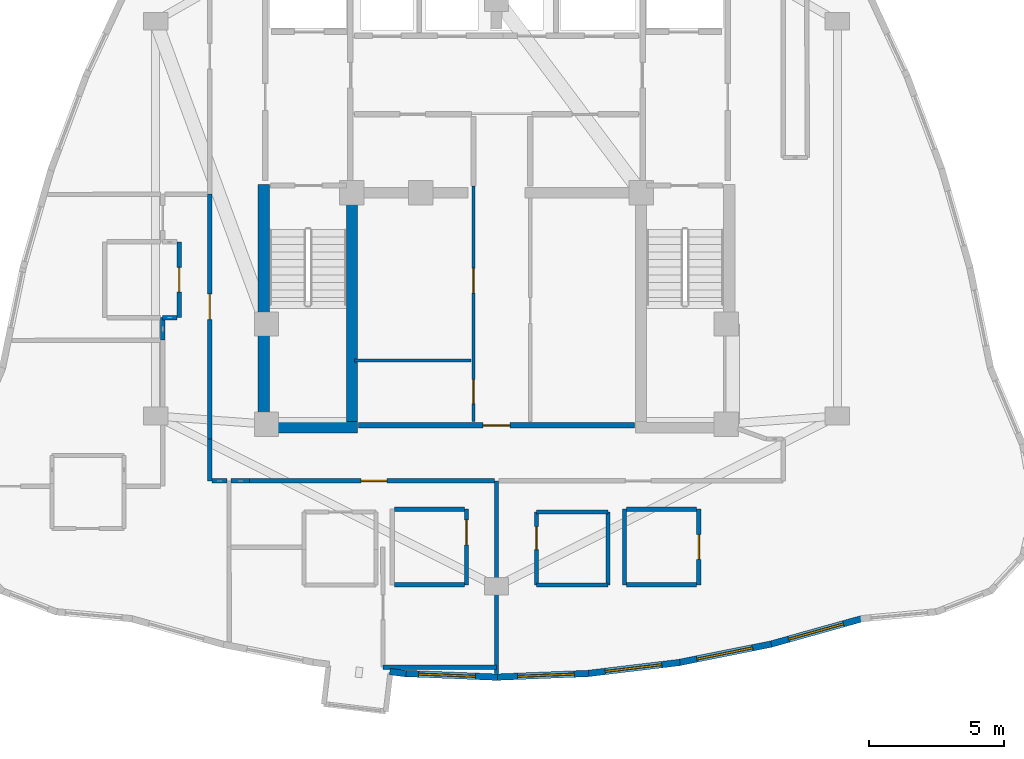
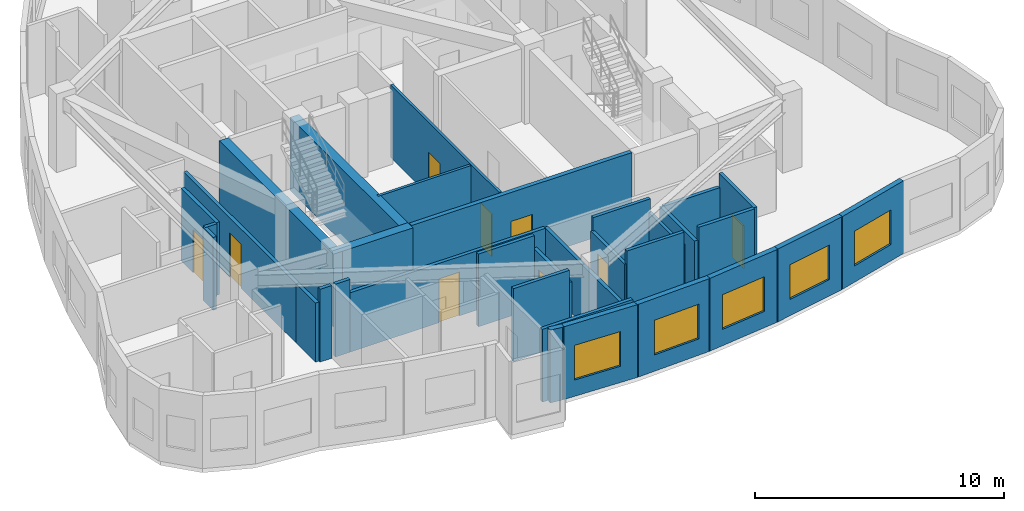
# One storey, part 8 of 13: 33 walls, 9 doors, 5 windows, 14 openings.
"""IFC4 building model written with IfcOpenShell, lengths in metres."""

from ifc_helpers import new_model, si_unit, direction, frame, frame_2d, origin, place, context, subcontext, project, spatial, rectangle, extrude, material, layer, layer_set, type_object, element, fill, save


model = new_model("IFC4")

# Units and contexts
model_context = context("Model", 3, precision=1e-05, world=origin(), true_north=direction((0.0, 1.0)))
body_context = subcontext(model_context, "Body", "Model", "MODEL_VIEW")
ifc_project = project(units=[si_unit("LENGTHUNIT", "METRE"), si_unit("AREAUNIT", "SQUARE_METRE"), si_unit("VOLUMEUNIT", "CUBIC_METRE"), si_unit("PLANEANGLEUNIT", "RADIAN"), si_unit("MASSUNIT", "GRAM", prefix="KILO")], contexts=[model_context])

# Site, building, storey
site_placement = place(None, origin())
site = spatial("IfcSite", under=ifc_project, at=site_placement, CompositionType="ELEMENT")
building_placement = place(site_placement, origin())
building = spatial("IfcBuilding", under=site, at=building_placement, Name="Miruveldt Soraemaru", CompositionType="ELEMENT")
storey_placement = place(building_placement, frame((0.0, 0.0, 252.0)))
storey = spatial("IfcBuildingStorey", under=building, at=storey_placement, Name="L69", CompositionType="ELEMENT", Elevation=252.0)

# Walls
ifc_material_1 = material(Name="Concrete C50/60 (50 MPa)", Category="concrete")
ifc_layer_1 = layer(ifc_material_1, 0.419921875, Name="Concrete C50/60 (50 MPa)", Category="concrete")
ifc_layer_set_1 = layer_set([ifc_layer_1], Name="Concrete C50/60 (50 MPa)")
wall_type_1 = type_object("IfcWallType", Name="WALL-CW-420", PredefinedType="SHEAR", material=ifc_layer_set_1)
wall_1_placement = place(storey_placement, frame((35.179931640625, 35.389892578125, 0.0), z_axis=(0.0, 0.0, 1.0), x_axis=(1.0, 0.0, 0.0)))
element("IfcWall", 1, at=wall_1_placement, inside=storey, type_object=wall_type_1, Name="L69 Central Core Shear Wall S1", PredefinedType="SHEAR", context=body_context, shape_type="SweptSolid", body=[
    extrude(rectangle(XDim=3.690185546875, YDim=0.419921875, at=frame_2d((1.84521484375, 0.0))), origin(), (0.0, 0.0, 1.0), 3.56494140625),
])
wall_2_placement = place(storey_placement, frame((35.389892578125, 35.179931640625, 0.0), z_axis=(0.0, 0.0, 1.0), x_axis=(0.0, 1.0, 0.0)))
element("IfcWall", 2, at=wall_2_placement, inside=storey, type_object=wall_type_1, Name="L69 Central Core Shear Wall W1", PredefinedType="SHEAR", context=body_context, shape_type="SweptSolid", body=[
    extrude(rectangle(XDim=9.170166015625, YDim=0.419921875, at=frame_2d((4.5849609375, 0.0))), origin(), (0.0, 0.0, 1.0), 3.56494140625),
])
wall_3_placement = place(storey_placement, frame((38.659912109375, 35.39990234375, 0.0), z_axis=(0.0, 0.0, 1.0), x_axis=(0.0, 1.0, 0.0)))
element("IfcWall", 3, at=wall_3_placement, inside=storey, type_object=wall_type_1, Name="L69 Central Core Shear Wall SW-INT", PredefinedType="SHEAR", context=body_context, shape_type="SweptSolid", body=[
    extrude(rectangle(XDim=8.9501953125, YDim=0.419921875, at=frame_2d((4.47509765625, 0.0))), origin(), (0.0, 0.0, 1.0), 3.56494140625),
])
ifc_material_2 = material(Name="Precast concrete C45/55 (45 MPa)", Category="concrete")
ifc_layer_2 = layer(ifc_material_2, 0.239990234375, Name="Precast concrete C45/55 (45 MPa)", Category="concrete")
ifc_layer_set_2 = layer_set([ifc_layer_2], Name="Precast concrete C45/55 (45 MPa)")
wall_type_2 = type_object("IfcWallType", Name="WALL-EXT-PC240", PredefinedType="SOLIDWALL", material=ifc_layer_set_2)
wall_4_placement = place(storey_placement, frame((40.055419921875, 26.347412109375, 0.0), z_axis=(0.0, 0.0, 1.0), x_axis=(0.99288252982, -0.119097783262, 0.0)))
element("IfcWall", 4, at=wall_4_placement, inside=storey, type_object=wall_type_2, Name="L69 Precast Pier Wall 23B", PredefinedType="SOLIDWALL", context=body_context, shape_type="SweptSolid", body=[
    extrude(rectangle(XDim=0.60888671875, YDim=0.239990234375, at=frame_2d((0.304443359375, 0.0))), origin(), (0.0, 0.0, 1.0), 3.56494140625),
])

# Wall, opening, window
wall_5_placement = place(storey_placement, frame((40.590087890625, 26.280517578125, 0.0), z_axis=(0.0, 0.0, 1.0), x_axis=(0.999199260977, -0.040010459423, 0.0)))
wall_5 = element("IfcWall", 5, at=wall_5_placement, inside=storey, type_object=wall_type_2, Name="L69 Precast Concrete Facade Wall 24", PredefinedType="SOLIDWALL", context=body_context, shape_type="SweptSolid", body=[
    extrude(rectangle(XDim=3.447509765625, YDim=0.239990234375, at=frame_2d((1.7236328125, 0.0))), origin(), (0.0, 0.0, 1.0), 3.56494140625),
])
opening_1_placement = place(wall_5_placement, frame((0.533935546875, 0.0, 0.800048828125)))
opening_1 = element("IfcOpeningElement", 6, at=opening_1_placement, cuts=wall_5, Name="Opening WN-1", PredefinedType="OPENING", context=body_context, shape_type="SweptSolid", body=[
    extrude(rectangle(XDim=2.10009765625, YDim=1.699951171875, at=frame_2d((1.050048828125, 0.85009765625))), frame((0.0, 0.1298828125, 0.0), z_axis=(0.0, -1.0, 0.0), x_axis=(1.0, 0.0, 0.0)), (0.0, 0.0, 1.0), 0.260009765625),
])
ifc_material_3 = material(Name="Triple low-e insulated glazing", Category="glass")
window_type = type_object("IfcWindowType", Name="WIN-PUNCH-2100x1700", PartitioningType="SINGLE_PANEL", PredefinedType="WINDOW", material=ifc_material_3)
window_1_placement = place(opening_1_placement, origin())
window_1 = element("IfcWindow", 7, at=window_1_placement, inside=storey, type_object=window_type, Name="L69 Punched Triple-Glazed Window 24.1", OverallHeight=1.699951171875, OverallWidth=2.10009765625, PartitioningType="SINGLE_PANEL", PredefinedType="WINDOW", context=body_context, shape_type="SweptSolid", body=[
    extrude(rectangle(XDim=2.10009765625, YDim=1.699951171875, at=frame_2d((1.050048828125, 0.85009765625))), frame((0.0, 0.030029296875, 0.0), z_axis=(0.0, -1.0, 0.0), x_axis=(1.0, 0.0, 0.0)), (0.0, 0.0, 1.0), 0.06005859375),
])
fill(opening_1, window_1)

wall_6_placement = place(storey_placement, frame((43.965087890625, 26.142578125, 0.0), z_axis=(0.0, 0.0, 1.0), x_axis=(0.999199260977, 0.040010459423, 0.0)))
wall_6 = element("IfcWall", 8, at=wall_6_placement, inside=storey, type_object=wall_type_2, Name="L69 Precast Concrete Facade Wall 25", PredefinedType="SOLIDWALL", context=body_context, shape_type="SweptSolid", body=[
    extrude(rectangle(XDim=3.447509765625, YDim=0.239990234375, at=frame_2d((1.7236328125, 0.0))), origin(), (0.0, 0.0, 1.0), 3.56494140625),
])
opening_2_placement = place(wall_6_placement, frame((0.81396484375, 0.0, 0.800048828125)))
opening_2 = element("IfcOpeningElement", 9, at=opening_2_placement, cuts=wall_6, Name="Opening WN-1", PredefinedType="OPENING", context=body_context, shape_type="SweptSolid", body=[
    extrude(rectangle(XDim=2.10009765625, YDim=1.699951171875, at=frame_2d((1.050048828125, 0.85009765625))), frame((0.0, 0.1298828125, 0.0), z_axis=(0.0, -1.0, 0.0), x_axis=(1.0, 0.0, 0.0)), (0.0, 0.0, 1.0), 0.260009765625),
])
window_2_placement = place(opening_2_placement, origin())
window_2 = element("IfcWindow", 10, at=window_2_placement, inside=storey, type_object=window_type, Name="L69 Punched Triple-Glazed Window 25.1", OverallHeight=1.699951171875, OverallWidth=2.10009765625, PartitioningType="SINGLE_PANEL", PredefinedType="WINDOW", context=body_context, shape_type="SweptSolid", body=[
    extrude(rectangle(XDim=2.10009765625, YDim=1.699951171875, at=frame_2d((1.050048828125, 0.85009765625))), frame((0.0, 0.030029296875, 0.0), z_axis=(0.0, -1.0, 0.0), x_axis=(1.0, 0.0, 0.0)), (0.0, 0.0, 1.0), 0.06005859375),
])
fill(opening_2, window_2)

wall_7_placement = place(storey_placement, frame((47.340087890625, 26.27490234375, 0.0), z_axis=(0.0, 0.0, 1.0), x_axis=(0.99287650547, 0.11914799573, 0.0)))
wall_7 = element("IfcWall", 11, at=wall_7_placement, inside=storey, type_object=wall_type_2, Name="L69 Precast Concrete Facade Wall 26", PredefinedType="SOLIDWALL", context=body_context, shape_type="SweptSolid", body=[
    extrude(rectangle(XDim=3.468994140625, YDim=0.239990234375, at=frame_2d((1.734375, 0.0))), origin(), (0.0, 0.0, 1.0), 3.56494140625),
])
opening_3_placement = place(wall_7_placement, frame((0.68505859375, 0.0, 0.800048828125)))
opening_3 = element("IfcOpeningElement", 12, at=opening_3_placement, cuts=wall_7, Name="Opening WN-1", PredefinedType="OPENING", context=body_context, shape_type="SweptSolid", body=[
    extrude(rectangle(XDim=2.10009765625, YDim=1.699951171875, at=frame_2d((1.050048828125, 0.85009765625))), frame((0.0, 0.1298828125, 0.0), z_axis=(0.0, -1.0, 0.0), x_axis=(1.0, 0.0, 0.0)), (0.0, 0.0, 1.0), 0.260009765625),
])
window_3_placement = place(opening_3_placement, origin())
window_3 = element("IfcWindow", 13, at=window_3_placement, inside=storey, type_object=window_type, Name="L69 Punched Triple-Glazed Window 26.1", OverallHeight=1.699951171875, OverallWidth=2.10009765625, PartitioningType="SINGLE_PANEL", PredefinedType="WINDOW", context=body_context, shape_type="SweptSolid", body=[
    extrude(rectangle(XDim=2.10009765625, YDim=1.699951171875, at=frame_2d((1.050048828125, 0.85009765625))), frame((0.0, 0.030029296875, 0.0), z_axis=(0.0, -1.0, 0.0), x_axis=(1.0, 0.0, 0.0)), (0.0, 0.0, 1.0), 0.06005859375),
])
fill(opening_3, window_3)

wall_8_placement = place(storey_placement, frame((50.71533203125, 26.67724609375, 0.0), z_axis=(0.0, 0.0, 1.0), x_axis=(0.980578001568, 0.196129505277, 0.0)))
wall_8 = element("IfcWall", 14, at=wall_8_placement, inside=storey, type_object=wall_type_2, Name="L69 Precast Concrete Facade Wall 27", PredefinedType="SOLIDWALL", context=body_context, shape_type="SweptSolid", body=[
    extrude(rectangle(XDim=3.511474609375, YDim=0.239990234375, at=frame_2d((1.755859375, 0.0))), origin(), (0.0, 0.0, 1.0), 3.56494140625),
])
opening_4_placement = place(wall_8_placement, frame((0.7060546875, 0.0, 0.800048828125)))
opening_4 = element("IfcOpeningElement", 15, at=opening_4_placement, cuts=wall_8, Name="Opening WN-1", PredefinedType="OPENING", context=body_context, shape_type="SweptSolid", body=[
    extrude(rectangle(XDim=2.10009765625, YDim=1.699951171875, at=frame_2d((1.050048828125, 0.85009765625))), frame((0.0, 0.1298828125, 0.0), z_axis=(0.0, -1.0, 0.0), x_axis=(1.0, 0.0, 0.0)), (0.0, 0.0, 1.0), 0.260009765625),
])
window_4_placement = place(opening_4_placement, origin())
window_4 = element("IfcWindow", 16, at=window_4_placement, inside=storey, type_object=window_type, Name="L69 Punched Triple-Glazed Window 27.1", OverallHeight=1.699951171875, OverallWidth=2.10009765625, PartitioningType="SINGLE_PANEL", PredefinedType="WINDOW", context=body_context, shape_type="SweptSolid", body=[
    extrude(rectangle(XDim=2.10009765625, YDim=1.699951171875, at=frame_2d((1.050048828125, 0.85009765625))), frame((0.0, 0.030029296875, 0.0), z_axis=(0.0, -1.0, 0.0), x_axis=(1.0, 0.0, 0.0)), (0.0, 0.0, 1.0), 0.06005859375),
])
fill(opening_4, window_4)

wall_9_placement = place(storey_placement, frame((54.0908203125, 27.349609375, 0.0), z_axis=(0.0, 0.0, 1.0), x_axis=(0.962959054134, 0.269647659105, 0.0)))
wall_9 = element("IfcWall", 17, at=wall_9_placement, inside=storey, type_object=wall_type_2, Name="L69 Precast Concrete Facade Wall 28", PredefinedType="SOLIDWALL", context=body_context, shape_type="SweptSolid", body=[
    extrude(rectangle(XDim=3.574462890625, YDim=0.239990234375, at=frame_2d((1.787109375, 0.0))), origin(), (0.0, 0.0, 1.0), 3.56494140625),
])
opening_5_placement = place(wall_9_placement, frame((0.738037109375, 0.0, 0.800048828125)))
opening_5 = element("IfcOpeningElement", 18, at=opening_5_placement, cuts=wall_9, Name="Opening WN-1", PredefinedType="OPENING", context=body_context, shape_type="SweptSolid", body=[
    extrude(rectangle(XDim=2.10009765625, YDim=1.699951171875, at=frame_2d((1.050048828125, 0.85009765625))), frame((0.0, 0.1298828125, 0.0), z_axis=(0.0, -1.0, 0.0), x_axis=(1.0, 0.0, 0.0)), (0.0, 0.0, 1.0), 0.260009765625),
])
window_5_placement = place(opening_5_placement, origin())
window_5 = element("IfcWindow", 19, at=window_5_placement, inside=storey, type_object=window_type, Name="L69 Punched Triple-Glazed Window 28.1", OverallHeight=1.699951171875, OverallWidth=2.10009765625, PartitioningType="SINGLE_PANEL", PredefinedType="WINDOW", context=body_context, shape_type="SweptSolid", body=[
    extrude(rectangle(XDim=2.10009765625, YDim=1.699951171875, at=frame_2d((1.050048828125, 0.85009765625))), frame((0.0, 0.030029296875, 0.0), z_axis=(0.0, -1.0, 0.0), x_axis=(1.0, 0.0, 0.0)), (0.0, 0.0, 1.0), 0.06005859375),
])
fill(opening_5, window_5)

# Wall, openings, doors
ifc_material_4 = material(Name="Gypsum plasterboard lining", Category="gypsum")
ifc_layer_3 = layer(ifc_material_4, 0.1201171875, Name="Gypsum plasterboard lining", Category="gypsum")
ifc_layer_set_3 = layer_set([ifc_layer_3], Name="Gypsum plasterboard lining")
wall_type_3 = type_object("IfcWallType", Name="WALL-INT-P120", PredefinedType="PARTITIONING", material=ifc_layer_set_3)
wall_10_placement = place(storey_placement, frame((43.14990234375, 35.60009765625, 0.0), z_axis=(0.0, 0.0, 1.0), x_axis=(0.0, 1.0, 0.0)))
wall_10 = element("IfcWall", 20, at=wall_10_placement, inside=storey, type_object=wall_type_3, Name="L69 Core Compartment Wall SP-WL", PredefinedType="PARTITIONING", context=body_context, shape_type="SweptSolid", body=[
    extrude(rectangle(XDim=8.699951171875, YDim=0.1201171875, at=frame_2d((4.35009765625, 0.0))), origin(), (0.0, 0.0, 1.0), 3.56494140625),
])
opening_6_placement = place(wall_10_placement, frame((0.659912109375, 0.0, 0.0)))
opening_6 = element("IfcOpeningElement", 21, at=opening_6_placement, cuts=wall_10, Name="Opening D4", PredefinedType="OPENING", context=body_context, shape_type="SweptSolid", body=[
    extrude(rectangle(XDim=0.8798828125, YDim=2.10009765625, at=frame_2d((0.43994140625, 1.050048828125))), frame((0.0, 0.070068359375, 0.0), z_axis=(0.0, -1.0, 0.0), x_axis=(1.0, 0.0, 0.0)), (0.0, 0.0, 1.0), 0.14013671875),
])
opening_7_placement = place(wall_10_placement, frame((4.739990234375, 0.0, 0.0)))
opening_7 = element("IfcOpeningElement", 22, at=opening_7_placement, cuts=wall_10, Name="Opening D3A", PredefinedType="OPENING", context=body_context, shape_type="SweptSolid", body=[
    extrude(rectangle(XDim=0.919921875, YDim=2.10009765625, at=frame_2d((0.4599609375, 1.050048828125))), frame((0.0, 0.070068359375, 0.0), z_axis=(0.0, -1.0, 0.0), x_axis=(1.0, 0.0, 0.0)), (0.0, 0.0, 1.0), 0.14013671875),
])
ifc_material_5 = material(Name="Anodised aluminium EN AW-6063 T6", Category="aluminium")
door_type_1 = type_object("IfcDoorType", Name="DOOR-INT-880", OperationType="NOTDEFINED", PredefinedType="DOOR", material=ifc_material_5)
door_1_placement = place(opening_6_placement, origin())
door_1 = element("IfcDoor", 23, at=door_1_placement, inside=storey, type_object=door_type_1, Name="L69 Fire Door", OperationType="SINGLE_SWING_LEFT", OverallHeight=2.10009765625, OverallWidth=0.8798828125, PredefinedType="DOOR", context=body_context, shape_type="SweptSolid", body=[
    extrude(rectangle(XDim=0.8798828125, YDim=2.10009765625, at=frame_2d((0.43994140625, 1.050048828125))), frame((0.0, 0.02490234375, 0.0), z_axis=(0.0, -1.0, 0.0), x_axis=(1.0, 0.0, 0.0)), (0.0, 0.0, 1.0), 0.050048828125),
])
fill(opening_6, door_1)
door_type_2 = type_object("IfcDoorType", Name="DOOR-INT-920", OperationType="NOTDEFINED", PredefinedType="DOOR", material=ifc_material_5)
door_2_placement = place(opening_7_placement, origin())
door_2 = element("IfcDoor", 24, at=door_2_placement, inside=storey, type_object=door_type_2, Name="L69 Fire Door", OperationType="SINGLE_SWING_LEFT", OverallHeight=2.10009765625, OverallWidth=0.919921875, PredefinedType="DOOR", context=body_context, shape_type="SweptSolid", body=[
    extrude(rectangle(XDim=0.919921875, YDim=2.10009765625, at=frame_2d((0.4599609375, 1.050048828125))), frame((0.0, 0.02490234375, 0.0), z_axis=(0.0, -1.0, 0.0), x_axis=(1.0, 0.0, 0.0)), (0.0, 0.0, 1.0), 0.050048828125),
])
fill(opening_7, door_2)

# Wall
wall_11_placement = place(storey_placement, frame((38.75, 37.85009765625, 0.0), z_axis=(0.0, 0.0, 1.0), x_axis=(1.0, 0.0, 0.0)))
element("IfcWall", 25, at=wall_11_placement, inside=storey, type_object=wall_type_3, Name="L69 Core Compartment Wall RL-W1H", PredefinedType="PARTITIONING", context=body_context, shape_type="SweptSolid", body=[
    extrude(rectangle(XDim=4.300048828125, YDim=0.1201171875, at=frame_2d((2.14990234375, 0.0))), origin(), (0.0, 0.0, 1.0), 3.56494140625),
])

# Wall, opening, door
ifc_layer_4 = layer(ifc_material_4, 0.14990234375, Name="Gypsum plasterboard lining", Category="gypsum")
ifc_layer_set_4 = layer_set([ifc_layer_4], Name="Gypsum plasterboard lining")
wall_type_4 = type_object("IfcWallType", Name="WALL-INT-PLUMB", PredefinedType="PLUMBINGWALL", material=ifc_layer_set_4)
wall_12_placement = place(storey_placement, frame((45.47998046875, 32.256103515625, 0.0), z_axis=(0.0, 0.0, 1.0), x_axis=(0.0, -1.0, 0.0)))
wall_12 = element("IfcWall", 26, at=wall_12_placement, inside=storey, type_object=wall_type_4, Name="L69 Partition Wall 62", PredefinedType="PLUMBINGWALL", context=body_context, shape_type="SweptSolid", body=[
    extrude(rectangle(XDim=2.7001953125, YDim=0.14990234375, at=frame_2d((1.35009765625, 0.0))), origin(), (0.0, 0.0, 1.0), 2.903076171875),
])
opening_8_placement = place(wall_12_placement, frame((0.550048828125, 0.0, 0.0)))
opening_8 = element("IfcOpeningElement", 27, at=opening_8_placement, cuts=wall_12, Name="Opening FD3", PredefinedType="OPENING", context=body_context, shape_type="SweptSolid", body=[
    extrude(rectangle(XDim=0.85009765625, YDim=2.10009765625, at=frame_2d((0.425048828125, 1.050048828125))), frame((0.0, 0.0849609375, 0.0), z_axis=(0.0, -1.0, 0.0), x_axis=(1.0, 0.0, 0.0)), (0.0, 0.0, 1.0), 0.169921875),
])
door_type_3 = type_object("IfcDoorType", Name="DOOR-FD3-850", OperationType="NOTDEFINED", PredefinedType="DOOR", material=ifc_material_5)
door_3_placement = place(opening_8_placement, origin())
door_3 = element("IfcDoor", 28, at=door_3_placement, inside=storey, type_object=door_type_3, Name="L69 Unit 6904 BTH Door", OperationType="SINGLE_SWING_LEFT", OverallHeight=2.10009765625, OverallWidth=0.85009765625, PredefinedType="DOOR", context=body_context, shape_type="SweptSolid", body=[
    extrude(rectangle(XDim=0.85009765625, YDim=2.10009765625, at=frame_2d((0.425048828125, 1.050048828125))), frame((0.0, 0.02490234375, 0.0), z_axis=(0.0, -1.0, 0.0), x_axis=(1.0, 0.0, 0.0)), (0.0, 0.0, 1.0), 0.050048828125),
])
fill(opening_8, door_3)

# Walls
wall_13_placement = place(storey_placement, frame((48.1298828125, 29.555908203125, 0.0), z_axis=(0.0, 0.0, 1.0), x_axis=(0.0, 1.0, 0.0)))
element("IfcWall", 29, at=wall_13_placement, inside=storey, type_object=wall_type_4, Name="L69 Partition Wall 60", PredefinedType="PLUMBINGWALL", context=body_context, shape_type="SweptSolid", body=[
    extrude(rectangle(XDim=2.7001953125, YDim=0.14990234375, at=frame_2d((1.35009765625, 0.0))), origin(), (0.0, 0.0, 1.0), 2.903076171875),
])
for number, where, z_axis, x_axis, name in (
    (30, (48.1298828125, 32.256103515625, 0.0), (0.0, 0.0, 1.0), (-1.0, 0.0, 0.0), "L69 Partition Wall 61"),
    (31, (45.47998046875, 29.555908203125, 0.0), (0.0, 0.0, 1.0), (1.0, 0.0, 0.0), "L69 Partition Wall 63"),
):
    element("IfcWall", number, at=place(storey_placement, frame(where, z_axis=z_axis, x_axis=x_axis)), inside=storey, type_object=wall_type_4, Name=name, PredefinedType="PLUMBINGWALL", context=body_context, shape_type="SweptSolid", body=[
        extrude(rectangle(XDim=2.64990234375, YDim=0.14990234375, at=frame_2d((1.324951171875, 0.0))), origin(), (0.0, 0.0, 1.0), 3.56494140625),
    ])

# Wall, opening, door
ifc_material_6 = material(Name="Concrete C40/50 (40 MPa)", Category="concrete")
ifc_layer_5 = layer(ifc_material_6, 0.159912109375, Name="Concrete C40/50 (40 MPa)", Category="concrete")
ifc_layer_set_5 = layer_set([ifc_layer_5], Name="Concrete C40/50 (40 MPa)")
wall_type_5 = type_object("IfcWallType", Name="WALL-INT-RC160", PredefinedType="SOLIDWALL", material=ifc_layer_set_5)
wall_14_placement = place(storey_placement, frame((34.8701171875, 33.39990234375, 0.0), z_axis=(0.0, 0.0, 1.0), x_axis=(1.0, 0.0, 0.0)))
wall_14 = element("IfcWall", 32, at=wall_14_placement, inside=storey, type_object=wall_type_5, Name="L69 Partition Wall 9", PredefinedType="SOLIDWALL", context=body_context, shape_type="SweptSolid", body=[
    extrude(rectangle(XDim=9.0498046875, YDim=0.159912109375, at=frame_2d((4.52490234375, 0.0))), origin(), (0.0, 0.0, 1.0), 2.903076171875),
])
opening_9_placement = place(wall_14_placement, frame((4.1298828125, 0.0, 0.0)))
opening_9 = element("IfcOpeningElement", 33, at=opening_9_placement, cuts=wall_14, Name="Opening FD2", PredefinedType="OPENING", context=body_context, shape_type="SweptSolid", body=[
    extrude(rectangle(XDim=0.949951171875, YDim=2.14990234375, at=frame_2d((0.47509765625, 1.074951171875))), frame((0.0, 0.08984375, 0.0), z_axis=(0.0, -1.0, 0.0), x_axis=(1.0, 0.0, 0.0)), (0.0, 0.0, 1.0), 0.179931640625),
])
door_type_4 = type_object("IfcDoorType", Name="DOOR-FD2-950", OperationType="NOTDEFINED", PredefinedType="DOOR", material=ifc_material_5)
door_4_placement = place(opening_9_placement, origin())
door_4 = element("IfcDoor", 34, at=door_4_placement, inside=storey, type_object=door_type_4, Name="L69 Unit 6903 Entrance Fire Door", OperationType="SINGLE_SWING_RIGHT", OverallHeight=2.14990234375, OverallWidth=0.949951171875, PredefinedType="DOOR", context=body_context, shape_type="SweptSolid", body=[
    extrude(rectangle(XDim=0.949951171875, YDim=2.14990234375, at=frame_2d((0.47509765625, 1.074951171875))), frame((0.0, 0.02490234375, 0.0), z_axis=(0.0, -1.0, 0.0), x_axis=(1.0, 0.0, 0.0)), (0.0, 0.0, 1.0), 0.050048828125),
])
fill(opening_9, door_4)

wall_15_placement = place(storey_placement, frame((33.39990234375, 44.0, 0.0), z_axis=(0.0, 0.0, 1.0), x_axis=(0.0, -1.0, 0.0)))
wall_15 = element("IfcWall", 35, at=wall_15_placement, inside=storey, type_object=wall_type_5, Name="L69 Partition Wall 5", PredefinedType="SOLIDWALL", context=body_context, shape_type="SweptSolid", body=[
    extrude(rectangle(XDim=9.050048828125, YDim=0.159912109375, at=frame_2d((4.52490234375, 0.0))), origin(), (0.0, 0.0, 1.0), 2.903076171875),
])
opening_10_placement = place(wall_15_placement, frame((3.68994140625, 0.0, 0.0)))
opening_10 = element("IfcOpeningElement", 36, at=opening_10_placement, cuts=wall_15, Name="Opening FD2", PredefinedType="OPENING", context=body_context, shape_type="SweptSolid", body=[
    extrude(rectangle(XDim=0.949951171875, YDim=2.14990234375, at=frame_2d((0.47509765625, 1.074951171875))), frame((0.0, 0.08984375, 0.0), z_axis=(0.0, -1.0, 0.0), x_axis=(1.0, 0.0, 0.0)), (0.0, 0.0, 1.0), 0.179931640625),
])
door_5_placement = place(opening_10_placement, origin())
door_5 = element("IfcDoor", 37, at=door_5_placement, inside=storey, type_object=door_type_4, Name="L69 Unit 6902 Entrance Fire Door", OperationType="SINGLE_SWING_LEFT", OverallHeight=2.14990234375, OverallWidth=0.949951171875, PredefinedType="DOOR", context=body_context, shape_type="SweptSolid", body=[
    extrude(rectangle(XDim=0.949951171875, YDim=2.14990234375, at=frame_2d((0.47509765625, 1.074951171875))), frame((0.0, 0.02490234375, 0.0), z_axis=(0.0, -1.0, 0.0), x_axis=(1.0, 0.0, 0.0)), (0.0, 0.0, 1.0), 0.050048828125),
])
fill(opening_10, door_5)

wall_16_placement = place(storey_placement, frame((42.89208984375, 29.555908203125, 0.0), z_axis=(0.0, 0.0, 1.0), x_axis=(0.0, 1.0, 0.0)))
wall_16 = element("IfcWall", 38, at=wall_16_placement, inside=storey, type_object=wall_type_5, Name="L69 Partition Wall 50", PredefinedType="SOLIDWALL", context=body_context, shape_type="SweptSolid", body=[
    extrude(rectangle(XDim=2.800048828125, YDim=0.159912109375, at=frame_2d((1.39990234375, 0.0))), origin(), (0.0, 0.0, 1.0), 2.903076171875),
])
opening_11_placement = place(wall_16_placement, frame((1.47998046875, 0.0, 0.0)))
opening_11 = element("IfcOpeningElement", 39, at=opening_11_placement, cuts=wall_16, Name="Opening D3A", PredefinedType="OPENING", context=body_context, shape_type="SweptSolid", body=[
    extrude(rectangle(XDim=0.919921875, YDim=2.10009765625, at=frame_2d((0.4599609375, 1.050048828125))), frame((0.0, 0.08984375, 0.0), z_axis=(0.0, -1.0, 0.0), x_axis=(1.0, 0.0, 0.0)), (0.0, 0.0, 1.0), 0.179931640625),
])
door_6_placement = place(opening_11_placement, origin())
door_6 = element("IfcDoor", 40, at=door_6_placement, inside=storey, type_object=door_type_2, Name="L69 Unit 6903 KIT Door", OperationType="SINGLE_SWING_RIGHT", OverallHeight=2.10009765625, OverallWidth=0.919921875, PredefinedType="DOOR", context=body_context, shape_type="SweptSolid", body=[
    extrude(rectangle(XDim=0.919921875, YDim=2.10009765625, at=frame_2d((0.4599609375, 1.050048828125))), frame((0.0, 0.02490234375, 0.0), z_axis=(0.0, -1.0, 0.0), x_axis=(1.0, 0.0, 0.0)), (0.0, 0.0, 1.0), 0.050048828125),
])
fill(opening_11, door_6)

wall_17_placement = place(storey_placement, frame((51.47998046875, 29.555908203125, 0.0), z_axis=(0.0, 0.0, 1.0), x_axis=(0.0, 1.0, 0.0)))
wall_17 = element("IfcWall", 41, at=wall_17_placement, inside=storey, type_object=wall_type_5, Name="L69 Partition Wall 64", PredefinedType="SOLIDWALL", context=body_context, shape_type="SweptSolid", body=[
    extrude(rectangle(XDim=2.800048828125, YDim=0.159912109375, at=frame_2d((1.39990234375, 0.0))), origin(), (0.0, 0.0, 1.0), 3.56494140625),
])
opening_12_placement = place(wall_17_placement, frame((0.93994140625, 0.0, 0.0)))
opening_12 = element("IfcOpeningElement", 42, at=opening_12_placement, cuts=wall_17, Name="Opening D3A", PredefinedType="OPENING", context=body_context, shape_type="SweptSolid", body=[
    extrude(rectangle(XDim=0.919921875, YDim=2.10009765625, at=frame_2d((0.4599609375, 1.050048828125))), frame((0.0, 0.08984375, 0.0), z_axis=(0.0, -1.0, 0.0), x_axis=(1.0, 0.0, 0.0)), (0.0, 0.0, 1.0), 0.179931640625),
])
door_7_placement = place(opening_12_placement, origin())
door_7 = element("IfcDoor", 43, at=door_7_placement, inside=storey, type_object=door_type_2, Name="L69 Unit 6904 KIT Door", OperationType="SINGLE_SWING_RIGHT", OverallHeight=2.10009765625, OverallWidth=0.919921875, PredefinedType="DOOR", context=body_context, shape_type="SweptSolid", body=[
    extrude(rectangle(XDim=0.919921875, YDim=2.10009765625, at=frame_2d((0.4599609375, 1.050048828125))), frame((0.0, 0.02490234375, 0.0), z_axis=(0.0, -1.0, 0.0), x_axis=(1.0, 0.0, 0.0)), (0.0, 0.0, 1.0), 0.050048828125),
])
fill(opening_12, door_7)

wall_18_placement = place(storey_placement, frame((32.27294921875, 39.43505859375, 0.0), z_axis=(0.0, 0.0, 1.0), x_axis=(0.0, 1.0, 0.0)))
wall_18 = element("IfcWall", 44, at=wall_18_placement, inside=storey, type_object=wall_type_5, Name="L69 Partition Wall 30", PredefinedType="SOLIDWALL", context=body_context, shape_type="SweptSolid", body=[
    extrude(rectangle(XDim=2.800048828125, YDim=0.159912109375, at=frame_2d((1.39990234375, 0.0))), origin(), (0.0, 0.0, 1.0), 3.56494140625),
])
opening_13_placement = place(wall_18_placement, frame((0.93994140625, 0.0, 0.0)))
opening_13 = element("IfcOpeningElement", 45, at=opening_13_placement, cuts=wall_18, Name="Opening D3A", PredefinedType="OPENING", context=body_context, shape_type="SweptSolid", body=[
    extrude(rectangle(XDim=0.919921875, YDim=2.10009765625, at=frame_2d((0.4599609375, 1.050048828125))), frame((0.0, 0.08984375, 0.0), z_axis=(0.0, -1.0, 0.0), x_axis=(1.0, 0.0, 0.0)), (0.0, 0.0, 1.0), 0.179931640625),
])
door_8_placement = place(opening_13_placement, origin())
door_8 = element("IfcDoor", 46, at=door_8_placement, inside=storey, type_object=door_type_2, Name="L69 Unit 6902 KIT Door", OperationType="SINGLE_SWING_LEFT", OverallHeight=2.10009765625, OverallWidth=0.919921875, PredefinedType="DOOR", context=body_context, shape_type="SweptSolid", body=[
    extrude(rectangle(XDim=0.919921875, YDim=2.10009765625, at=frame_2d((0.4599609375, 1.050048828125))), frame((0.0, 0.02490234375, 0.0), z_axis=(0.0, -1.0, 0.0), x_axis=(1.0, 0.0, 0.0)), (0.0, 0.0, 1.0), 0.050048828125),
])
fill(opening_13, door_8)

# Walls
wall_19_placement = place(storey_placement, frame((44.0, 26.279052734375, 0.0), z_axis=(0.0, 0.0, 1.0), x_axis=(0.0, 1.0, 0.0)))
element("IfcWall", 47, at=wall_19_placement, inside=storey, type_object=wall_type_5, Name="L69 Partition Wall 56", PredefinedType="SOLIDWALL", context=body_context, shape_type="SweptSolid", body=[
    extrude(rectangle(XDim=7.114013671875, YDim=0.159912109375, at=frame_2d((3.55712890625, 0.0))), origin(), (0.0, 0.0, 1.0), 2.903076171875),
])
wall_20_placement = place(storey_placement, frame((39.806884765625, 26.512939453125, 0.0), z_axis=(0.0, 0.0, 1.0), x_axis=(1.0, 0.0, 0.0)))
element("IfcWall", 48, at=wall_20_placement, inside=storey, type_object=wall_type_5, Name="L69 Partition Closure Return 1", PredefinedType="SOLIDWALL", context=body_context, shape_type="SweptSolid", body=[
    extrude(rectangle(XDim=4.193115234375, YDim=0.159912109375, at=frame_2d((2.0966796875, 0.0))), origin(), (0.0, 0.0, 1.0), 3.56494140625),
])
wall_21_placement = place(storey_placement, frame((48.72998046875, 32.35595703125, 0.0), z_axis=(0.0, 0.0, 1.0), x_axis=(0.0, -1.0, 0.0)))
element("IfcWall", 49, at=wall_21_placement, inside=storey, type_object=wall_type_5, Name="L69 Partition Wall 66", PredefinedType="SOLIDWALL", context=body_context, shape_type="SweptSolid", body=[
    extrude(rectangle(XDim=2.800048828125, YDim=0.159912109375, at=frame_2d((1.39990234375, 0.0))), origin(), (0.0, 0.0, 1.0), 2.903076171875),
])
for number, where, z_axis, x_axis, name in (
    (50, (42.81201171875, 32.35595703125, 0.0), (0.0, 0.0, 1.0), (-1.0, 0.0, 0.0), "L69 Partition Wall 51"),
    (51, (40.221923828125, 29.555908203125, 0.0), (0.0, 0.0, 1.0), (1.0, 0.0, 0.0), "L69 Partition Wall 53"),
):
    element("IfcWall", number, at=place(storey_placement, frame(where, z_axis=z_axis, x_axis=x_axis)), inside=storey, type_object=wall_type_5, Name=name, PredefinedType="SOLIDWALL", context=body_context, shape_type="SweptSolid", body=[
        extrude(rectangle(XDim=2.590087890625, YDim=0.159912109375, at=frame_2d((1.294921875, 0.0))), origin(), (0.0, 0.0, 1.0), 3.56494140625),
    ])
wall_22_placement = place(storey_placement, frame((51.39990234375, 32.35595703125, 0.0), z_axis=(0.0, 0.0, 1.0), x_axis=(-1.0, 0.0, 0.0)))
element("IfcWall", 52, at=wall_22_placement, inside=storey, type_object=wall_type_5, Name="L69 Partition Wall 65", PredefinedType="SOLIDWALL", context=body_context, shape_type="SweptSolid", body=[
    extrude(rectangle(XDim=2.58984375, YDim=0.159912109375, at=frame_2d((1.294921875, 0.0))), origin(), (0.0, 0.0, 1.0), 2.903076171875),
])
wall_23_placement = place(storey_placement, frame((48.81005859375, 29.555908203125, 0.0), z_axis=(0.0, 0.0, 1.0), x_axis=(1.0, 0.0, 0.0)))
element("IfcWall", 53, at=wall_23_placement, inside=storey, type_object=wall_type_5, Name="L69 Partition Wall 67", PredefinedType="SOLIDWALL", context=body_context, shape_type="SweptSolid", body=[
    extrude(rectangle(XDim=2.58984375, YDim=0.159912109375, at=frame_2d((1.294921875, 0.0))), origin(), (0.0, 0.0, 1.0), 3.56494140625),
])
wall_24_placement = place(storey_placement, frame((33.39990234375, 34.949951171875, 0.0), z_axis=(0.0, 0.0, 1.0), x_axis=(0.0, -1.0, 0.0)))
element("IfcWall", 54, at=wall_24_placement, inside=storey, type_object=wall_type_5, Name="L69 Partition Wall 6", PredefinedType="SOLIDWALL", context=body_context, shape_type="SweptSolid", body=[
    extrude(rectangle(XDim=1.550048828125, YDim=0.159912109375, at=frame_2d((0.77490234375, 0.0))), origin(), (0.0, 0.0, 1.0), 2.903076171875),
])
wall_25_placement = place(storey_placement, frame((31.662109375, 39.43505859375, 0.0), z_axis=(0.0, 0.0, 1.0), x_axis=(0.0, -1.0, 0.0)))
element("IfcWall", 55, at=wall_25_placement, inside=storey, type_object=wall_type_5, Name="L69 Partition Wall 37", PredefinedType="SOLIDWALL", context=body_context, shape_type="SweptSolid", body=[
    extrude(rectangle(XDim=0.83203125, YDim=0.159912109375, at=frame_2d((0.416015625, 0.0))), origin(), (0.0, 0.0, 1.0), 3.56494140625),
])
wall_26_placement = place(storey_placement, frame((34.19189453125, 33.39990234375, 0.0), z_axis=(0.0, 0.0, 1.0), x_axis=(1.0, 0.0, 0.0)))
element("IfcWall", 56, at=wall_26_placement, inside=storey, type_object=wall_type_5, Name="L69 Partition Wall 8", PredefinedType="SOLIDWALL", context=body_context, shape_type="SweptSolid", body=[
    extrude(rectangle(XDim=0.67822265625, YDim=0.159912109375, at=frame_2d((0.339111328125, 0.0))), origin(), (0.0, 0.0, 1.0), 3.56494140625),
])
wall_27_placement = place(storey_placement, frame((33.47998046875, 33.39990234375, 0.0), z_axis=(0.0, 0.0, 1.0), x_axis=(1.0, 0.0, 0.0)))
element("IfcWall", 57, at=wall_27_placement, inside=storey, type_object=wall_type_5, Name="L69 Partition Wall 7", PredefinedType="SOLIDWALL", context=body_context, shape_type="SweptSolid", body=[
    extrude(rectangle(XDim=0.552001953125, YDim=0.159912109375, at=frame_2d((0.27587890625, 0.0))), origin(), (0.0, 0.0, 1.0), 3.56494140625),
])
wall_28_placement = place(storey_placement, frame((31.652099609375, 39.43505859375, 0.0), z_axis=(0.0, 0.0, 1.0), x_axis=(1.0, 0.0, 0.0)))
element("IfcWall", 58, at=wall_28_placement, inside=storey, type_object=wall_type_5, Name="L69 Partition Wall 32", PredefinedType="SOLIDWALL", context=body_context, shape_type="SweptSolid", body=[
    extrude(rectangle(XDim=0.541015625, YDim=0.159912109375, at=frame_2d((0.2705078125, 0.0))), origin(), (0.0, 0.0, 1.0), 3.56494140625),
])

# Wall, opening, door
ifc_layer_6 = layer(ifc_material_6, 0.199951171875, Name="Concrete C40/50 (40 MPa)", Category="concrete")
ifc_layer_set_6 = layer_set([ifc_layer_6], Name="Concrete C40/50 (40 MPa)")
wall_type_6 = type_object("IfcWallType", Name="WALL-INT-RC200", PredefinedType="SOLIDWALL", material=ifc_layer_set_6)
wall_29_placement = place(storey_placement, frame((38.89990234375, 35.449951171875, 0.0), z_axis=(0.0, 0.0, 1.0), x_axis=(1.0, 0.0, 0.0)))
wall_29 = element("IfcWall", 59, at=wall_29_placement, inside=storey, type_object=wall_type_6, Name="L69 Core Compartment Wall CS-S", PredefinedType="SOLIDWALL", context=body_context, shape_type="SweptSolid", body=[
    extrude(rectangle(XDim=10.2001953125, YDim=0.199951171875, at=frame_2d((5.10009765625, 0.0))), origin(), (0.0, 0.0, 1.0), 3.56494140625),
])
opening_14_placement = place(wall_29_placement, frame((4.60009765625, 0.0, 0.0)))
opening_14 = element("IfcOpeningElement", 60, at=opening_14_placement, cuts=wall_29, Name="Opening FD1", PredefinedType="OPENING", context=body_context, shape_type="SweptSolid", body=[
    extrude(rectangle(XDim=1.0, YDim=2.14990234375, at=frame_2d((0.5, 1.074951171875))), frame((0.0, 0.10986328125, 0.0), z_axis=(0.0, -1.0, 0.0), x_axis=(1.0, 0.0, 0.0)), (0.0, 0.0, 1.0), 0.219970703125),
])
door_type_5 = type_object("IfcDoorType", Name="DOOR-FD1-1000", OperationType="NOTDEFINED", PredefinedType="DOOR", material=ifc_material_5)
door_9_placement = place(opening_14_placement, origin())
door_9 = element("IfcDoor", 61, at=door_9_placement, inside=storey, type_object=door_type_5, Name="L69 Core South Lobby Fire Door", OperationType="SINGLE_SWING_LEFT", OverallHeight=2.14990234375, OverallWidth=1.0, PredefinedType="DOOR", context=body_context, shape_type="SweptSolid", body=[
    extrude(rectangle(XDim=1.0, YDim=2.14990234375, at=frame_2d((0.5, 1.074951171875))), frame((0.0, 0.02490234375, 0.0), z_axis=(0.0, -1.0, 0.0), x_axis=(1.0, 0.0, 0.0)), (0.0, 0.0, 1.0), 0.050048828125),
])
fill(opening_14, door_9)

save(model, "model.ifc")
